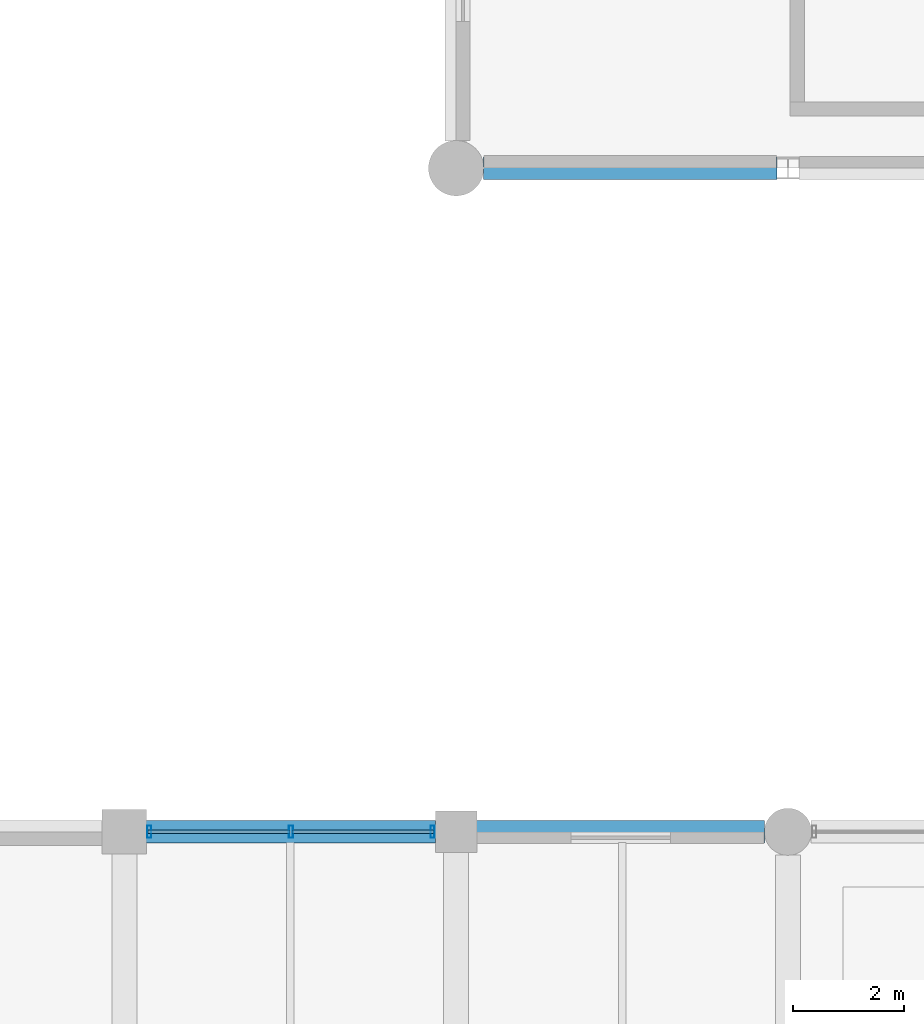
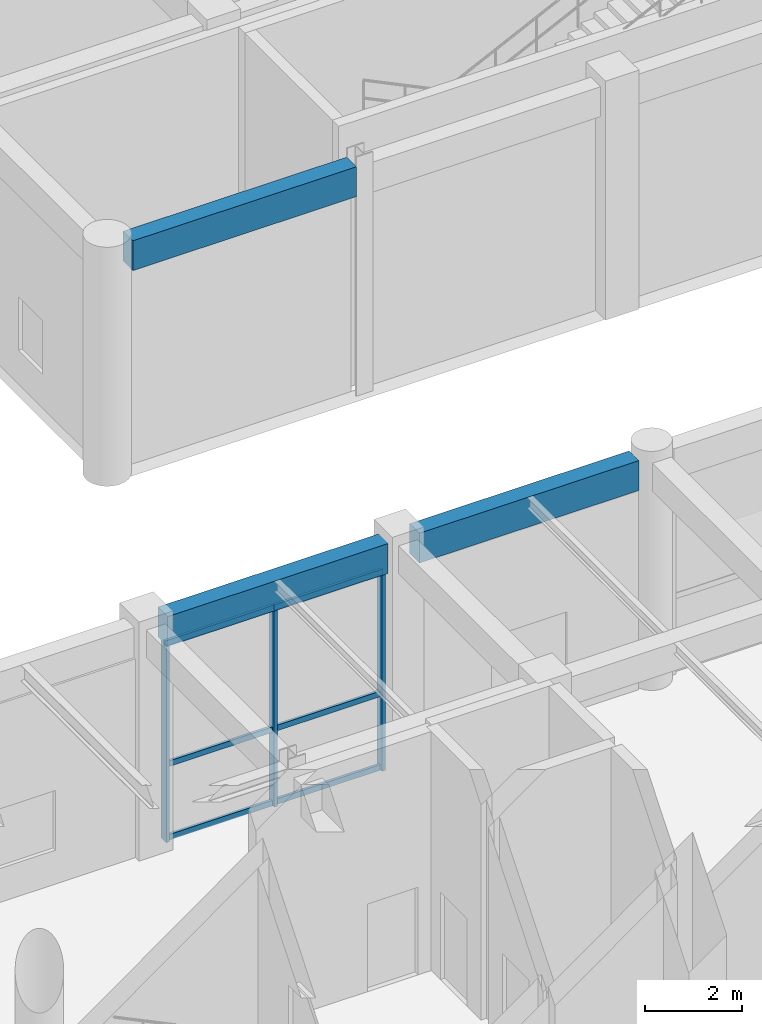
# One storey, part 36 of 106: 9 members, 3 beams, 1 element without a shape of its own.
"""IFC4 building model written with IfcOpenShell, lengths in metres."""

from ifc_helpers import new_model, si_unit, direction, frame, origin, origin_2d, place, context, subcontext, project, spatial, rectangle, hollow_rectangle, extrude, material, material_profile, profile_set, type_object, element, aggregate, save


model = new_model("IFC4")

# Units and contexts
model_context = context("Model", 3, precision=1e-05, world=origin(), true_north=direction((0.0, 1.0)))
body_context = subcontext(model_context, "Body", "Model", "MODEL_VIEW")
ifc_project = project(units=[si_unit("LENGTHUNIT", "METRE"), si_unit("AREAUNIT", "SQUARE_METRE"), si_unit("VOLUMEUNIT", "CUBIC_METRE"), si_unit("PLANEANGLEUNIT", "RADIAN"), si_unit("MASSUNIT", "GRAM", prefix="KILO"), si_unit("THERMODYNAMICTEMPERATUREUNIT", "KELVIN"), si_unit("POWERUNIT", "WATT")], contexts=[model_context])

# Site, building, storey
site_placement = place(None, origin())
site = spatial("IfcSite", under=ifc_project, at=site_placement, CompositionType="ELEMENT")
building_placement = place(site_placement, origin())
building = spatial("IfcBuilding", under=site, at=building_placement, Name="Phaisarnlok Congress Hotel", CompositionType="ELEMENT")
storey_placement = place(building_placement, origin())
storey = spatial("IfcBuildingStorey", under=building, at=storey_placement, Name="L00", CompositionType="ELEMENT", Elevation=0.0)

# Curtain wall, members
ifc_material_1 = material(Name="Thermally Broken Unitised Aluminium & Low-E Glazing", Category="aluminium")
curtain_wall_type = type_object("IfcCurtainWallType", Name="CW-UNIT-03", PredefinedType="NOTDEFINED", material=ifc_material_1)
curtain_wall_placement = place(storey_placement, origin())
curtain_wall = element("IfcCurtainWall", 1, at=curtain_wall_placement, inside=storey, type_object=curtain_wall_type, Name="Unitised curtain wall CW-03 (L00)", PredefinedType="NOTDEFINED")
ifc_material_2 = material(Name="Anodised Aluminium Alloy 6063-T6", Category="aluminium")
ifc_material_profile_1 = material_profile(ifc_material_2, hollow_rectangle(XDim=0.074951171875, YDim=0.219970703125, WallThickness=0.0048828125, at=origin_2d()), Name="ALU-M 75x220x5")
ifc_profile_set_1 = profile_set([ifc_material_profile_1], Name="Anodised Aluminium Alloy 6063-T6")
member_type_1 = type_object("IfcMemberType", Name="CWM-220", PredefinedType="MULLION", material=ifc_profile_set_1)
member_1_placement = place(storey_placement, frame((59.574951171875, 96.0, 0.0), z_axis=(0.0, 0.0, 1.0), x_axis=(-1.0, 0.0, 0.0)))
member_1 = element("IfcMember", 2, at=member_1_placement, type_object=member_type_1, Name="Curtain wall mullion CWM-02", PredefinedType="MULLION", context=body_context, shape_type="SweptSolid", body=[
    extrude(hollow_rectangle(XDim=0.074951171875, YDim=0.219970703125, WallThickness=0.0048828125, at=origin_2d()), origin(), (0.0, 0.0, 1.0), 4.989990234375),
])
member_2_placement = place(storey_placement, frame((57.012451171875, 96.0, 0.0), z_axis=(0.0, 0.0, 1.0), x_axis=(-1.0, 0.0, 0.0)))
member_2 = element("IfcMember", 3, at=member_2_placement, type_object=member_type_1, Name="Curtain wall mullion CWM-02", PredefinedType="MULLION", context=body_context, shape_type="SweptSolid", body=[
    extrude(hollow_rectangle(XDim=0.074951171875, YDim=0.219970703125, WallThickness=0.0048828125, at=origin_2d()), origin(), (0.0, 0.0, 1.0), 4.989990234375),
])
member_3_placement = place(storey_placement, frame((54.449951171875, 96.0, 0.0), z_axis=(0.0, 0.0, 1.0), x_axis=(-1.0, 0.0, 0.0)))
member_3 = element("IfcMember", 4, at=member_3_placement, type_object=member_type_1, Name="Curtain wall mullion CWM-02", PredefinedType="MULLION", context=body_context, shape_type="SweptSolid", body=[
    extrude(hollow_rectangle(XDim=0.074951171875, YDim=0.219970703125, WallThickness=0.0048828125, at=origin_2d()), origin(), (0.0, 0.0, 1.0), 4.989990234375),
])
ifc_material_profile_2 = material_profile(ifc_material_2, hollow_rectangle(XDim=0.06494140625, YDim=0.139892578125, WallThickness=0.00390625, at=origin_2d()), Name="ALU-T 65x140x4")
ifc_profile_set_2 = profile_set([ifc_material_profile_2], Name="Anodised Aluminium Alloy 6063-T6")
member_type_2 = type_object("IfcMemberType", Name="CWT-150", PredefinedType="USERDEFINED", material=ifc_profile_set_2)
member_4_placement = place(storey_placement, frame((59.60009765625, 96.0, 0.050048828125), z_axis=(-1.0, 0.0, 0.0), x_axis=(0.0, -1.0, 0.0)))
member_4 = element("IfcMember", 5, at=member_4_placement, type_object=member_type_2, Name="Curtain wall transom CWT-01", ObjectType="TRANSOM", PredefinedType="USERDEFINED", context=body_context, shape_type="SweptSolid", body=[
    extrude(hollow_rectangle(XDim=0.06494140625, YDim=0.139892578125, WallThickness=0.00390625, at=origin_2d()), origin(), (0.0, 0.0, 1.0), 2.572509765625),
])
member_5_placement = place(storey_placement, frame((59.60009765625, 96.0, 1.896240234375), z_axis=(-1.0, 0.0, 0.0), x_axis=(0.0, -1.0, 0.0)))
member_5 = element("IfcMember", 6, at=member_5_placement, type_object=member_type_2, Name="Curtain wall transom CWT-01", ObjectType="TRANSOM", PredefinedType="USERDEFINED", context=body_context, shape_type="SweptSolid", body=[
    extrude(hollow_rectangle(XDim=0.06494140625, YDim=0.139892578125, WallThickness=0.00390625, at=origin_2d()), origin(), (0.0, 0.0, 1.0), 2.572509765625),
])
member_6_placement = place(storey_placement, frame((59.60009765625, 96.0, 4.93994140625), z_axis=(-1.0, 0.0, 0.0), x_axis=(0.0, -1.0, 0.0)))
member_6 = element("IfcMember", 7, at=member_6_placement, type_object=member_type_2, Name="Curtain wall transom CWT-01", ObjectType="TRANSOM", PredefinedType="USERDEFINED", context=body_context, shape_type="SweptSolid", body=[
    extrude(hollow_rectangle(XDim=0.06494140625, YDim=0.139892578125, WallThickness=0.00390625, at=origin_2d()), origin(), (0.0, 0.0, 1.0), 2.572509765625),
])
member_7_placement = place(storey_placement, frame((56.99755859375, 96.0, 0.050048828125), z_axis=(-1.0, 0.0, 0.0), x_axis=(0.0, -1.0, 0.0)))
member_7 = element("IfcMember", 8, at=member_7_placement, type_object=member_type_2, Name="Curtain wall transom CWT-01", ObjectType="TRANSOM", PredefinedType="USERDEFINED", context=body_context, shape_type="SweptSolid", body=[
    extrude(hollow_rectangle(XDim=0.06494140625, YDim=0.139892578125, WallThickness=0.00390625, at=origin_2d()), origin(), (0.0, 0.0, 1.0), 2.572509765625),
])
member_8_placement = place(storey_placement, frame((56.99755859375, 96.0, 1.896240234375), z_axis=(-1.0, 0.0, 0.0), x_axis=(0.0, -1.0, 0.0)))
member_8 = element("IfcMember", 9, at=member_8_placement, type_object=member_type_2, Name="Curtain wall transom CWT-01", ObjectType="TRANSOM", PredefinedType="USERDEFINED", context=body_context, shape_type="SweptSolid", body=[
    extrude(hollow_rectangle(XDim=0.06494140625, YDim=0.139892578125, WallThickness=0.00390625, at=origin_2d()), origin(), (0.0, 0.0, 1.0), 2.572509765625),
])
member_9_placement = place(storey_placement, frame((56.99755859375, 96.0, 4.93994140625), z_axis=(-1.0, 0.0, 0.0), x_axis=(0.0, -1.0, 0.0)))
member_9 = element("IfcMember", 10, at=member_9_placement, type_object=member_type_2, Name="Curtain wall transom CWT-01", ObjectType="TRANSOM", PredefinedType="USERDEFINED", context=body_context, shape_type="SweptSolid", body=[
    extrude(hollow_rectangle(XDim=0.06494140625, YDim=0.139892578125, WallThickness=0.00390625, at=origin_2d()), origin(), (0.0, 0.0, 1.0), 2.572509765625),
])
aggregate(curtain_wall, [member_1, member_2, member_3, member_4, member_5, member_6, member_7, member_8, member_9])

# Beams
ifc_material_3 = material(Name="Concrete C40/50", Category="concrete")
ifc_material_profile_3 = material_profile(ifc_material_3, rectangle(XDim=0.39990234375, YDim=0.75, at=origin_2d()), Name="RC 400x750")
ifc_profile_set_3 = profile_set([ifc_material_profile_3], Name="Concrete C40/50")
beam_type = type_object("IfcBeamType", Name="SP-RC-400x750", PredefinedType="SPANDREL", material=ifc_profile_set_3)
beam_1_placement = place(storey_placement, frame((54.39501953125, 96.0, 5.364990234375), z_axis=(1.0, 0.0, 0.0), x_axis=(0.0, 1.0, 0.0)))
element("IfcBeam", 11, at=beam_1_placement, inside=storey, type_object=beam_type, Name="Beam SP-02", PredefinedType="SPANDREL", context=body_context, shape_type="SweptSolid", body=[
    extrude(rectangle(XDim=0.39990234375, YDim=0.75, at=origin_2d()), origin(), (0.0, 0.0, 1.0), 5.23486328125),
])
beam_2_placement = place(storey_placement, frame((60.3701171875, 96.0, 5.364990234375), z_axis=(1.0, 0.0, 0.0), x_axis=(0.0, 1.0, 0.0)))
element("IfcBeam", 12, at=beam_2_placement, inside=storey, type_object=beam_type, Name="Beam SP-02", PredefinedType="SPANDREL", context=body_context, shape_type="SweptSolid", body=[
    extrude(rectangle(XDim=0.39990234375, YDim=0.75, at=origin_2d()), origin(), (0.0, 0.0, 1.0), 5.2099609375),
])
beam_3_placement = place(storey_placement, frame((60.4951171875, 108.0, 5.385009765625), z_axis=(1.0, 0.0, 0.0), x_axis=(0.0, 1.0, 0.0)))
element("IfcBeam", 13, at=beam_3_placement, inside=storey, type_object=beam_type, Name="Beam SP-02", PredefinedType="SPANDREL", context=body_context, shape_type="SweptSolid", body=[
    extrude(rectangle(XDim=0.39990234375, YDim=0.75, at=origin_2d()), origin(), (0.0, 0.0, 1.0), 5.309326171875),
])

save(model, "model.ifc")
